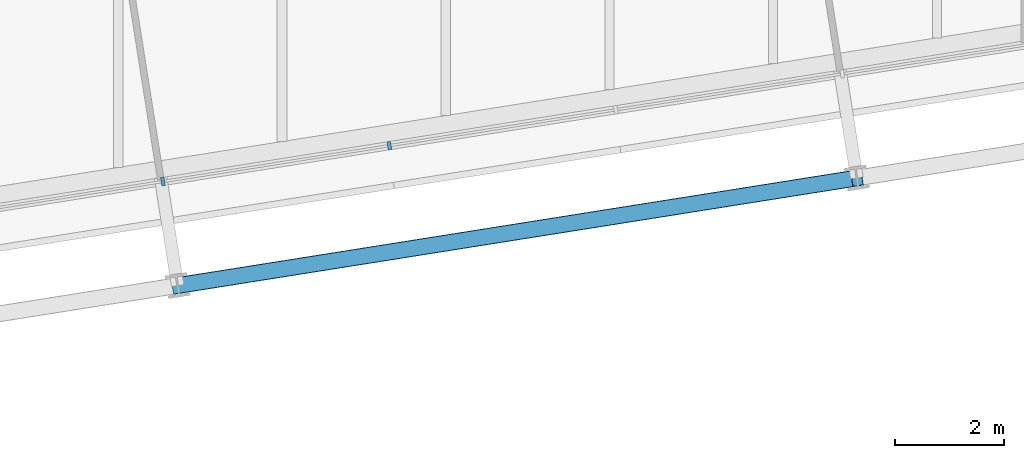
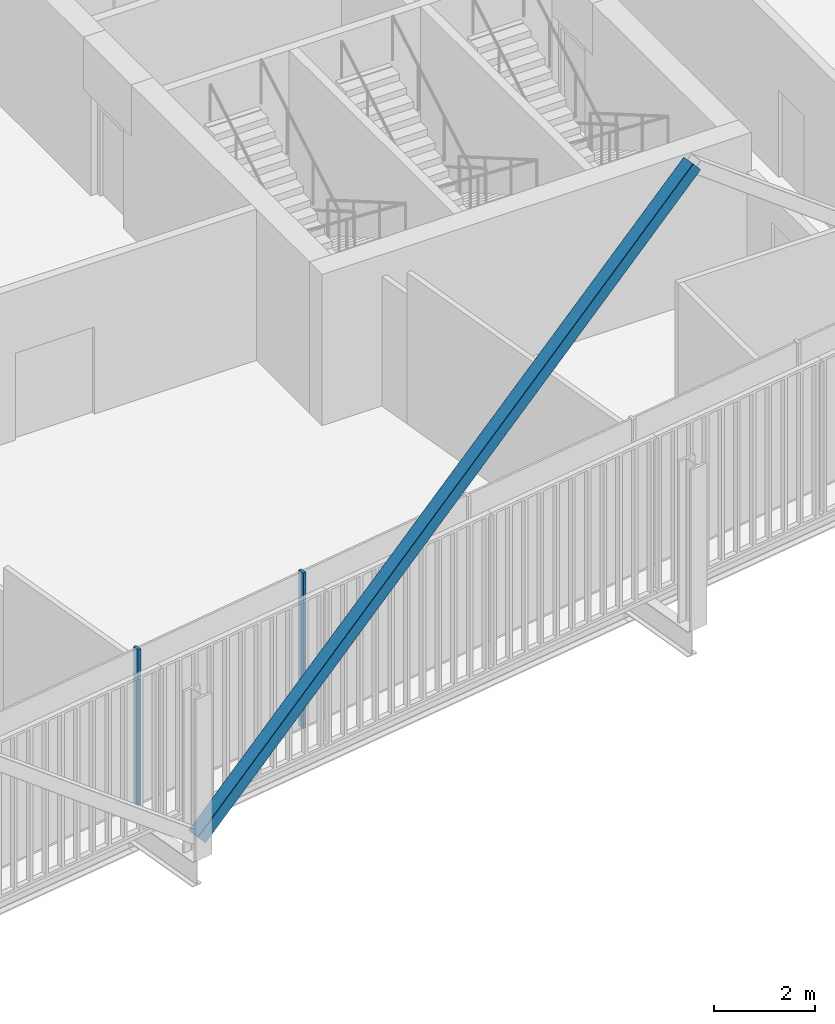
# One storey, part 3 of 21: 3 members, 1 element without a shape of its own.
"""IFC4 building model written with IfcOpenShell, lengths in metres."""

from ifc_helpers import new_model, si_unit, direction, frame, origin, origin_2d, place, context, subcontext, project, spatial, rectangle, hollow_rectangle, extrude, material, layer, layer_set, material_profile, profile_set, type_object, element, aggregate, save


model = new_model("IFC4")

# Units and contexts
model_context = context("Model", 3, precision=1e-05, world=origin(), true_north=direction((0.0, 1.0)))
body_context = subcontext(model_context, "Body", "Model", "MODEL_VIEW")
ifc_project = project(units=[si_unit("LENGTHUNIT", "METRE"), si_unit("AREAUNIT", "SQUARE_METRE"), si_unit("VOLUMEUNIT", "CUBIC_METRE"), si_unit("PLANEANGLEUNIT", "RADIAN"), si_unit("MASSUNIT", "GRAM", prefix="KILO")], contexts=[model_context])

# Site, building, storey
site_placement = place(None, origin())
site = spatial("IfcSite", under=ifc_project, at=site_placement, CompositionType="ELEMENT")
building_placement = place(site_placement, origin())
building = spatial("IfcBuilding", under=site, at=building_placement, Name="Millrace Tower", CompositionType="ELEMENT")
storey_placement = place(building_placement, frame((0.0, 0.0, 235.89990234375)))
storey = spatial("IfcBuildingStorey", under=building, at=storey_placement, Name="L54", CompositionType="ELEMENT", Elevation=235.89990234375)

# Curtain wall, members
ifc_material_1 = material(Name="Aluminium and glass", Category="aluminium")
ifc_layer = layer(ifc_material_1, 0.14990234375)
ifc_layer_set = layer_set([ifc_layer], Name="Aluminium and glass")
curtain_wall_type = type_object("IfcCurtainWallType", Name="CW-1 office vision curtain wall", PredefinedType="NOTDEFINED", material=ifc_layer_set)
curtain_wall_placement = place(storey_placement, origin())
curtain_wall = element("IfcCurtainWall", 1, at=curtain_wall_placement, inside=storey, type_object=curtain_wall_type, Name="Curtain wall D-F02 L54", PredefinedType="NOTDEFINED")
ifc_material_2 = material(Name="Aluminium", Category="aluminium")
ifc_material_profile_1 = material_profile(ifc_material_2, rectangle(XDim=0.06494140625, YDim=0.14990234375, at=origin_2d()))
ifc_profile_set_1 = profile_set([ifc_material_profile_1], Name="Aluminium")
member_type_1 = type_object("IfcMemberType", Name="CW-1 office vision curtain wall mullion", PredefinedType="MULLION", material=ifc_profile_set_1)
member_1_placement = place(storey_placement, frame((-5.1806640625, -19.021240234375, 0.14013671875), z_axis=(0.0, 0.0, 1.0), x_axis=(0.987688339511, 0.156434471884, 0.0)))
member_1 = element("IfcMember", 2, at=member_1_placement, type_object=member_type_1, Name="CW1 mullion D-F02.4", PredefinedType="MULLION", context=body_context, shape_type="SweptSolid", body=[
    extrude(rectangle(XDim=0.06494140625, YDim=0.14990234375, at=origin_2d()), origin(), (0.0, 0.0, 1.0), 3.760009765625),
])
member_2_placement = place(storey_placement, frame((-1.0322265625, -18.3642578125, 0.14013671875), z_axis=(0.0, 0.0, 1.0), x_axis=(0.987688339511, 0.156434471884, 0.0)))
member_2 = element("IfcMember", 3, at=member_2_placement, type_object=member_type_1, Name="CW1 mullion D-F02.5", PredefinedType="MULLION", context=body_context, shape_type="SweptSolid", body=[
    extrude(rectangle(XDim=0.06494140625, YDim=0.14990234375, at=origin_2d()), origin(), (0.0, 0.0, 1.0), 3.760009765625),
])
aggregate(curtain_wall, [member_1, member_2])

# Member
ifc_material_3 = material(Name="Steel ASTM A500 Grade C", Category="steel")
ifc_material_profile_2 = material_profile(ifc_material_3, hollow_rectangle(XDim=0.3046875, YDim=0.3046875, WallThickness=0.009521484375, InnerFilletRadius=0.004638671875, OuterFilletRadius=0.014404296875, at=origin_2d()))
ifc_profile_set_2 = profile_set([ifc_material_profile_2], Name="Steel ASTM A500 Grade C")
member_type_2 = type_object("IfcMemberType", Name="Exoskeleton brace HSS12x12x3/8", PredefinedType="BRACE", material=ifc_profile_set_2)
member_3_placement = place(storey_placement, frame((-4.91162109375, -20.927734375, 0.400146484375), z_axis=(0.752854197669, 0.119233176478, 0.647297463829), x_axis=(-0.156425232058, 0.987689802912, 0.0)))
element("IfcMember", 4, at=member_3_placement, inside=storey, type_object=member_type_2, Name="BRC-D-L54-03", PredefinedType="BRACE", context=body_context, shape_type="SweptSolid", body=[
    extrude(hollow_rectangle(XDim=0.3046875, YDim=0.3046875, WallThickness=0.009521484375, InnerFilletRadius=0.004638671875, OuterFilletRadius=0.014404296875, at=origin_2d()), origin(), (0.0, 0.0, 1.0), 16.5302734375),
])

save(model, "model.ifc")
